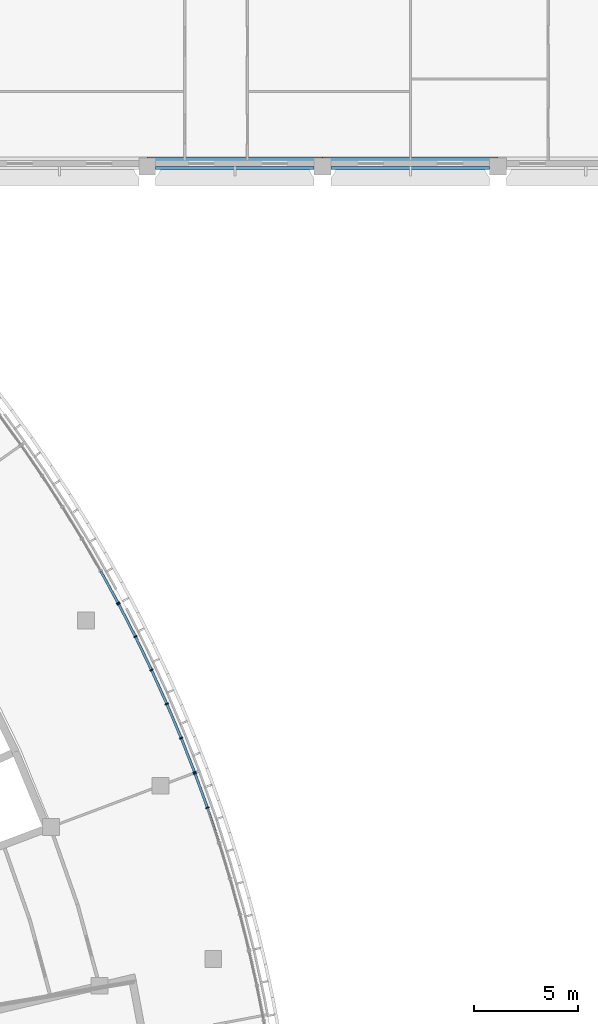
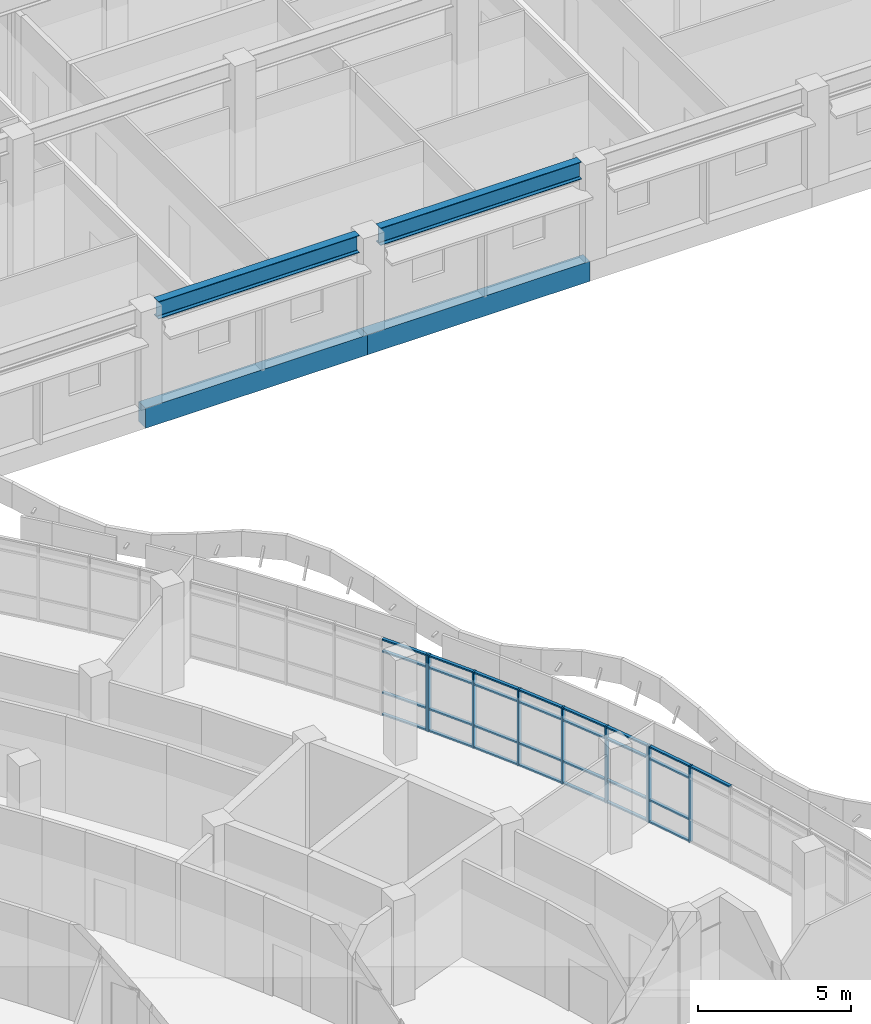
# One storey, part 28 of 109: 38 members, 4 beams, 3 elements without a shape of their own.
"""IFC4 building model written with IfcOpenShell, lengths in metres."""

from ifc_helpers import new_model, si_unit, direction, frame, origin, origin_2d, place, context, subcontext, project, spatial, rectangle, i_section, extrude, material, material_profile, profile_set, type_object, element, aggregate, save


model = new_model("IFC4")

# Units and contexts
model_context = context("Model", 3, precision=1e-05, world=origin(), true_north=direction((0.0, 1.0)))
body_context = subcontext(model_context, "Body", "Model", "MODEL_VIEW")
ifc_project = project(units=[si_unit("LENGTHUNIT", "METRE"), si_unit("AREAUNIT", "SQUARE_METRE"), si_unit("VOLUMEUNIT", "CUBIC_METRE"), si_unit("PLANEANGLEUNIT", "RADIAN"), si_unit("MASSUNIT", "GRAM", prefix="KILO")], contexts=[model_context])

# Site, building, storey
site_placement = place(None, origin())
site = spatial("IfcSite", under=ifc_project, at=site_placement, CompositionType="ELEMENT")
building_placement = place(site_placement, origin())
building = spatial("IfcBuilding", under=site, at=building_placement, Name="Bougainvillea Quay General Hospital", CompositionType="ELEMENT")
storey_placement = place(building_placement, frame((0.0, 0.0, 12.60009765625)))
storey = spatial("IfcBuildingStorey", under=building, at=storey_placement, Name="L02", CompositionType="ELEMENT", Elevation=12.60009765625)

# Curtain wall, member
ifc_material_1 = material(Name="Aluminium curtain wall system, powder-coated glazed", Category="aluminium")
curtain_wall_type = type_object("IfcCurtainWallType", Name="Unitised curtain wall CW-2100", PredefinedType="NOTDEFINED", material=ifc_material_1)
curtain_wall_1_placement = place(storey_placement, origin())
curtain_wall_1 = element("IfcCurtainWall", 1, at=curtain_wall_1_placement, inside=storey, type_object=curtain_wall_type, Name="CW-E05 a23b4", PredefinedType="NOTDEFINED")
ifc_material_2 = material(Name="Aluminium mullion, powder-coated charcoal", Category="aluminium")
ifc_material_profile_1 = material_profile(ifc_material_2, rectangle(XDim=0.159912109375, YDim=0.06005859375, at=origin_2d()))
ifc_profile_set_1 = profile_set([ifc_material_profile_1], Name="Aluminium mullion, powder-coated charcoal")
member_type_1 = type_object("IfcMemberType", Name="Curtain wall mullion 160x60", PredefinedType="MULLION", material=ifc_profile_set_1)
member_1_placement = place(storey_placement, frame((170.805908203125, 54.707763671875, 0.0), z_axis=(0.0, 0.0, 1.0), x_axis=(0.877387439543, 0.479782535044, 0.0)))
member_1 = element("IfcMember", 2, at=member_1_placement, type_object=member_type_1, Name="CW-E05 mullion 6", PredefinedType="MULLION", context=body_context, shape_type="SweptSolid", body=[
    extrude(rectangle(XDim=0.159912109375, YDim=0.06005859375, at=origin_2d()), origin(), (0.0, 0.0, 1.0), 3.0498046875),
])

# Curtain wall, members
curtain_wall_2_placement = place(storey_placement, origin())
curtain_wall_2 = element("IfcCurtainWall", 3, at=curtain_wall_2_placement, inside=storey, type_object=curtain_wall_type, Name="CW-E06 a23b5", PredefinedType="NOTDEFINED")
member_2_placement = place(storey_placement, frame((170.833984375, 54.65478515625, 0.0), z_axis=(0.0, 0.0, 1.0), x_axis=(0.889346157599, 0.457234526215, 0.0)))
member_2 = element("IfcMember", 4, at=member_2_placement, type_object=member_type_1, Name="CW-E06 mullion 1", PredefinedType="MULLION", context=body_context, shape_type="SweptSolid", body=[
    extrude(rectangle(XDim=0.159912109375, YDim=0.06005859375, at=origin_2d()), origin(), (0.0, 0.0, 1.0), 3.0498046875),
])
member_3_placement = place(storey_placement, frame((171.63427734375, 53.09814453125, 0.0), z_axis=(0.0, 0.0, 1.0), x_axis=(0.895108735914, 0.445847901072, 0.0)))
member_3 = element("IfcMember", 5, at=member_3_placement, type_object=member_type_1, Name="CW-E06 mullion 2", PredefinedType="MULLION", context=body_context, shape_type="SweptSolid", body=[
    extrude(rectangle(XDim=0.159912109375, YDim=0.06005859375, at=origin_2d()), origin(), (0.0, 0.0, 1.0), 3.0498046875),
])
member_4_placement = place(storey_placement, frame((172.407470703125, 51.49462890625, 0.0), z_axis=(0.0, 0.0, 1.0), x_axis=(0.906195638727, 0.422858681301, 0.0)))
member_4 = element("IfcMember", 6, at=member_4_placement, type_object=member_type_1, Name="CW-E06 mullion 3", PredefinedType="MULLION", context=body_context, shape_type="SweptSolid", body=[
    extrude(rectangle(XDim=0.159912109375, YDim=0.06005859375, at=origin_2d()), origin(), (0.0, 0.0, 1.0), 3.0498046875),
])
member_5_placement = place(storey_placement, frame((173.1396484375, 49.871826171875, 0.0), z_axis=(0.0, 0.0, 1.0), x_axis=(0.916692224279, 0.399594001388, 0.0)))
member_5 = element("IfcMember", 7, at=member_5_placement, type_object=member_type_1, Name="CW-E06 mullion 4", PredefinedType="MULLION", context=body_context, shape_type="SweptSolid", body=[
    extrude(rectangle(XDim=0.159912109375, YDim=0.06005859375, at=origin_2d()), origin(), (0.0, 0.0, 1.0), 3.0498046875),
])
member_6_placement = place(storey_placement, frame((173.830078125, 48.23095703125, 0.0), z_axis=(0.0, 0.0, 1.0), x_axis=(0.926591654846, 0.376069016497, 0.0)))
member_6 = element("IfcMember", 8, at=member_6_placement, type_object=member_type_1, Name="CW-E06 mullion 5", PredefinedType="MULLION", context=body_context, shape_type="SweptSolid", body=[
    extrude(rectangle(XDim=0.159912109375, YDim=0.06005859375, at=origin_2d()), origin(), (0.0, 0.0, 1.0), 3.0498046875),
])
member_7_placement = place(storey_placement, frame((174.4677734375, 46.60107421875, 0.0), z_axis=(0.0, 0.0, 1.0), x_axis=(0.931315406472, 0.364213692311, 0.0)))
member_7 = element("IfcMember", 9, at=member_7_placement, type_object=member_type_1, Name="CW-E06 mullion 6", PredefinedType="MULLION", context=body_context, shape_type="SweptSolid", body=[
    extrude(rectangle(XDim=0.159912109375, YDim=0.06005859375, at=origin_2d()), origin(), (0.0, 0.0, 1.0), 3.0498046875),
])

curtain_wall_3_placement = place(storey_placement, origin())
curtain_wall_3 = element("IfcCurtainWall", 10, at=curtain_wall_3_placement, inside=storey, type_object=curtain_wall_type, Name="CW-E07 a23b6", PredefinedType="NOTDEFINED")
member_8_placement = place(storey_placement, frame((174.48876953125, 46.544921875, 0.0), z_axis=(0.0, 0.0, 1.0), x_axis=(0.940307135924, 0.340327034086, 0.0)))
member_8 = element("IfcMember", 11, at=member_8_placement, type_object=member_type_1, Name="CW-E07 mullion 1", PredefinedType="MULLION", context=body_context, shape_type="SweptSolid", body=[
    extrude(rectangle(XDim=0.159912109375, YDim=0.06005859375, at=origin_2d()), origin(), (0.0, 0.0, 1.0), 3.0498046875),
])
member_9_placement = place(storey_placement, frame((175.08447265625, 44.899169921875, 0.0), z_axis=(0.0, 0.0, 1.0), x_axis=(0.944573649334, 0.328299590289, 0.0)))
member_9 = element("IfcMember", 12, at=member_9_placement, type_object=member_type_1, Name="CW-E07 mullion 2", PredefinedType="MULLION", context=body_context, shape_type="SweptSolid", body=[
    extrude(rectangle(XDim=0.159912109375, YDim=0.06005859375, at=origin_2d()), origin(), (0.0, 0.0, 1.0), 3.0498046875),
])

# Member
ifc_material_3 = material(Name="Aluminium transom, powder-coated charcoal", Category="aluminium")
ifc_material_profile_2 = material_profile(ifc_material_3, rectangle(XDim=0.1201171875, YDim=0.06005859375, at=origin_2d()))
ifc_profile_set_2 = profile_set([ifc_material_profile_2], Name="Aluminium transom, powder-coated charcoal")
member_type_2 = type_object("IfcMemberType", Name="Curtain wall transom 120x60", PredefinedType="USERDEFINED", material=ifc_profile_set_2)
member_10_placement = place(storey_placement, frame((169.98046875, 56.217041015625, 0.02978515625), z_axis=(0.479782810498, -0.877387288915, 0.0), x_axis=(0.877387288915, 0.479782810498, 0.0)))
member_10 = element("IfcMember", 13, at=member_10_placement, type_object=member_type_2, Name="CW-E05 transom 5.1", ObjectType="TRANSOM", PredefinedType="USERDEFINED", context=body_context, shape_type="SweptSolid", body=[
    extrude(rectangle(XDim=0.1201171875, YDim=0.06005859375, at=origin_2d()), origin(), (0.0, 0.0, 1.0), 1.6904296875),
])

member_11_placement = place(storey_placement, frame((169.98046875, 56.217041015625, 0.89990234375), z_axis=(0.479782810498, -0.877387288915, 0.0), x_axis=(0.877387288915, 0.479782810498, 0.0)))
member_11 = element("IfcMember", 14, at=member_11_placement, type_object=member_type_2, Name="CW-E05 transom 5.2", ObjectType="TRANSOM", PredefinedType="USERDEFINED", context=body_context, shape_type="SweptSolid", body=[
    extrude(rectangle(XDim=0.1201171875, YDim=0.06005859375, at=origin_2d()), origin(), (0.0, 0.0, 1.0), 1.6904296875),
])

member_12_placement = place(storey_placement, frame((169.98046875, 56.217041015625, 2.5498046875), z_axis=(0.479782810498, -0.877387288915, 0.0), x_axis=(0.877387288915, 0.479782810498, 0.0)))
member_12 = element("IfcMember", 15, at=member_12_placement, type_object=member_type_2, Name="CW-E05 transom 5.3", ObjectType="TRANSOM", PredefinedType="USERDEFINED", context=body_context, shape_type="SweptSolid", body=[
    extrude(rectangle(XDim=0.1201171875, YDim=0.06005859375, at=origin_2d()), origin(), (0.0, 0.0, 1.0), 1.6904296875),
])

member_13_placement = place(storey_placement, frame((169.98046875, 56.217041015625, 3.02001953125), z_axis=(0.479782810498, -0.877387288915, 0.0), x_axis=(0.877387288915, 0.479782810498, 0.0)))
member_13 = element("IfcMember", 16, at=member_13_placement, type_object=member_type_2, Name="CW-E05 transom 5.4", ObjectType="TRANSOM", PredefinedType="USERDEFINED", context=body_context, shape_type="SweptSolid", body=[
    extrude(rectangle(XDim=0.1201171875, YDim=0.06005859375, at=origin_2d()), origin(), (0.0, 0.0, 1.0), 1.6904296875),
])

aggregate(curtain_wall_1, [member_1, member_10, member_11, member_12, member_13])

member_14_placement = place(storey_placement, frame((170.84765625, 54.6279296875, 0.02978515625), z_axis=(0.457295793511, -0.889314655922, 0.0), x_axis=(0.889314655922, 0.457295793511, 0.0)))
member_14 = element("IfcMember", 17, at=member_14_placement, type_object=member_type_2, Name="CW-E06 transom 1.1", ObjectType="TRANSOM", PredefinedType="USERDEFINED", context=body_context, shape_type="SweptSolid", body=[
    extrude(rectangle(XDim=0.1201171875, YDim=0.06005859375, at=origin_2d()), origin(), (0.0, 0.0, 1.0), 1.690185546875),
])

member_15_placement = place(storey_placement, frame((170.84765625, 54.6279296875, 0.89990234375), z_axis=(0.457295793511, -0.889314655922, 0.0), x_axis=(0.889314655922, 0.457295793511, 0.0)))
member_15 = element("IfcMember", 18, at=member_15_placement, type_object=member_type_2, Name="CW-E06 transom 1.2", ObjectType="TRANSOM", PredefinedType="USERDEFINED", context=body_context, shape_type="SweptSolid", body=[
    extrude(rectangle(XDim=0.1201171875, YDim=0.06005859375, at=origin_2d()), origin(), (0.0, 0.0, 1.0), 1.690185546875),
])

member_16_placement = place(storey_placement, frame((170.84765625, 54.6279296875, 2.5498046875), z_axis=(0.457295793511, -0.889314655922, 0.0), x_axis=(0.889314655922, 0.457295793511, 0.0)))
member_16 = element("IfcMember", 19, at=member_16_placement, type_object=member_type_2, Name="CW-E06 transom 1.3", ObjectType="TRANSOM", PredefinedType="USERDEFINED", context=body_context, shape_type="SweptSolid", body=[
    extrude(rectangle(XDim=0.1201171875, YDim=0.06005859375, at=origin_2d()), origin(), (0.0, 0.0, 1.0), 1.690185546875),
])

member_17_placement = place(storey_placement, frame((170.84765625, 54.6279296875, 3.02001953125), z_axis=(0.457295793511, -0.889314655922, 0.0), x_axis=(0.889314655922, 0.457295793511, 0.0)))
member_17 = element("IfcMember", 20, at=member_17_placement, type_object=member_type_2, Name="CW-E06 transom 1.4", ObjectType="TRANSOM", PredefinedType="USERDEFINED", context=body_context, shape_type="SweptSolid", body=[
    extrude(rectangle(XDim=0.1201171875, YDim=0.06005859375, at=origin_2d()), origin(), (0.0, 0.0, 1.0), 1.690185546875),
])

member_18_placement = place(storey_placement, frame((171.647216796875, 53.071044921875, 0.02978515625), z_axis=(0.434451356132, -0.90069529762, 0.0), x_axis=(0.90069529762, 0.434451356132, 0.0)))
member_18 = element("IfcMember", 21, at=member_18_placement, type_object=member_type_2, Name="CW-E06 transom 2.1", ObjectType="TRANSOM", PredefinedType="USERDEFINED", context=body_context, shape_type="SweptSolid", body=[
    extrude(rectangle(XDim=0.1201171875, YDim=0.06005859375, at=origin_2d()), origin(), (0.0, 0.0, 1.0), 1.72021484375),
])

member_19_placement = place(storey_placement, frame((171.647216796875, 53.071044921875, 0.89990234375), z_axis=(0.434451356132, -0.90069529762, 0.0), x_axis=(0.90069529762, 0.434451356132, 0.0)))
member_19 = element("IfcMember", 22, at=member_19_placement, type_object=member_type_2, Name="CW-E06 transom 2.2", ObjectType="TRANSOM", PredefinedType="USERDEFINED", context=body_context, shape_type="SweptSolid", body=[
    extrude(rectangle(XDim=0.1201171875, YDim=0.06005859375, at=origin_2d()), origin(), (0.0, 0.0, 1.0), 1.72021484375),
])

member_20_placement = place(storey_placement, frame((171.647216796875, 53.071044921875, 2.5498046875), z_axis=(0.434451356132, -0.90069529762, 0.0), x_axis=(0.90069529762, 0.434451356132, 0.0)))
member_20 = element("IfcMember", 23, at=member_20_placement, type_object=member_type_2, Name="CW-E06 transom 2.3", ObjectType="TRANSOM", PredefinedType="USERDEFINED", context=body_context, shape_type="SweptSolid", body=[
    extrude(rectangle(XDim=0.1201171875, YDim=0.06005859375, at=origin_2d()), origin(), (0.0, 0.0, 1.0), 1.72021484375),
])

member_21_placement = place(storey_placement, frame((171.647216796875, 53.071044921875, 3.02001953125), z_axis=(0.434451356132, -0.90069529762, 0.0), x_axis=(0.90069529762, 0.434451356132, 0.0)))
member_21 = element("IfcMember", 24, at=member_21_placement, type_object=member_type_2, Name="CW-E06 transom 2.4", ObjectType="TRANSOM", PredefinedType="USERDEFINED", context=body_context, shape_type="SweptSolid", body=[
    extrude(rectangle(XDim=0.1201171875, YDim=0.06005859375, at=origin_2d()), origin(), (0.0, 0.0, 1.0), 1.72021484375),
])

member_22_placement = place(storey_placement, frame((172.419921875, 51.46728515625, 0.02978515625), z_axis=(0.411267298249, -0.911514788356, 0.0), x_axis=(0.911514788356, 0.411267298249, 0.0)))
member_22 = element("IfcMember", 25, at=member_22_placement, type_object=member_type_2, Name="CW-E06 transom 3.1", ObjectType="TRANSOM", PredefinedType="USERDEFINED", context=body_context, shape_type="SweptSolid", body=[
    extrude(rectangle(XDim=0.1201171875, YDim=0.06005859375, at=origin_2d()), origin(), (0.0, 0.0, 1.0), 1.720458984375),
])

member_23_placement = place(storey_placement, frame((172.419921875, 51.46728515625, 0.89990234375), z_axis=(0.411267298249, -0.911514788356, 0.0), x_axis=(0.911514788356, 0.411267298249, 0.0)))
member_23 = element("IfcMember", 26, at=member_23_placement, type_object=member_type_2, Name="CW-E06 transom 3.2", ObjectType="TRANSOM", PredefinedType="USERDEFINED", context=body_context, shape_type="SweptSolid", body=[
    extrude(rectangle(XDim=0.1201171875, YDim=0.06005859375, at=origin_2d()), origin(), (0.0, 0.0, 1.0), 1.720458984375),
])

member_24_placement = place(storey_placement, frame((172.419921875, 51.46728515625, 2.5498046875), z_axis=(0.411267298249, -0.911514788356, 0.0), x_axis=(0.911514788356, 0.411267298249, 0.0)))
member_24 = element("IfcMember", 27, at=member_24_placement, type_object=member_type_2, Name="CW-E06 transom 3.3", ObjectType="TRANSOM", PredefinedType="USERDEFINED", context=body_context, shape_type="SweptSolid", body=[
    extrude(rectangle(XDim=0.1201171875, YDim=0.06005859375, at=origin_2d()), origin(), (0.0, 0.0, 1.0), 1.720458984375),
])

member_25_placement = place(storey_placement, frame((172.419921875, 51.46728515625, 3.02001953125), z_axis=(0.411267298249, -0.911514788356, 0.0), x_axis=(0.911514788356, 0.411267298249, 0.0)))
member_25 = element("IfcMember", 28, at=member_25_placement, type_object=member_type_2, Name="CW-E06 transom 3.4", ObjectType="TRANSOM", PredefinedType="USERDEFINED", context=body_context, shape_type="SweptSolid", body=[
    extrude(rectangle(XDim=0.1201171875, YDim=0.06005859375, at=origin_2d()), origin(), (0.0, 0.0, 1.0), 1.720458984375),
])

member_26_placement = place(storey_placement, frame((173.1513671875, 49.84423828125, 0.02978515625), z_axis=(0.387847626956, -0.921723504238, 0.0), x_axis=(0.921723504238, 0.387847626956, 0.0)))
member_26 = element("IfcMember", 29, at=member_26_placement, type_object=member_type_2, Name="CW-E06 transom 4.1", ObjectType="TRANSOM", PredefinedType="USERDEFINED", context=body_context, shape_type="SweptSolid", body=[
    extrude(rectangle(XDim=0.1201171875, YDim=0.06005859375, at=origin_2d()), origin(), (0.0, 0.0, 1.0), 1.720458984375),
])

member_27_placement = place(storey_placement, frame((173.1513671875, 49.84423828125, 0.89990234375), z_axis=(0.387847626956, -0.921723504238, 0.0), x_axis=(0.921723504238, 0.387847626956, 0.0)))
member_27 = element("IfcMember", 30, at=member_27_placement, type_object=member_type_2, Name="CW-E06 transom 4.2", ObjectType="TRANSOM", PredefinedType="USERDEFINED", context=body_context, shape_type="SweptSolid", body=[
    extrude(rectangle(XDim=0.1201171875, YDim=0.06005859375, at=origin_2d()), origin(), (0.0, 0.0, 1.0), 1.720458984375),
])

member_28_placement = place(storey_placement, frame((173.1513671875, 49.84423828125, 2.5498046875), z_axis=(0.387847626956, -0.921723504238, 0.0), x_axis=(0.921723504238, 0.387847626956, 0.0)))
member_28 = element("IfcMember", 31, at=member_28_placement, type_object=member_type_2, Name="CW-E06 transom 4.3", ObjectType="TRANSOM", PredefinedType="USERDEFINED", context=body_context, shape_type="SweptSolid", body=[
    extrude(rectangle(XDim=0.1201171875, YDim=0.06005859375, at=origin_2d()), origin(), (0.0, 0.0, 1.0), 1.720458984375),
])

member_29_placement = place(storey_placement, frame((173.1513671875, 49.84423828125, 3.02001953125), z_axis=(0.387847626956, -0.921723504238, 0.0), x_axis=(0.921723504238, 0.387847626956, 0.0)))
member_29 = element("IfcMember", 32, at=member_29_placement, type_object=member_type_2, Name="CW-E06 transom 4.4", ObjectType="TRANSOM", PredefinedType="USERDEFINED", context=body_context, shape_type="SweptSolid", body=[
    extrude(rectangle(XDim=0.1201171875, YDim=0.06005859375, at=origin_2d()), origin(), (0.0, 0.0, 1.0), 1.720458984375),
])

member_30_placement = place(storey_placement, frame((173.841064453125, 48.203125, 0.02978515625), z_axis=(0.364257753557, -0.931298174042, 0.0), x_axis=(0.931298174042, 0.364257753557, 0.0)))
member_30 = element("IfcMember", 33, at=member_30_placement, type_object=member_type_2, Name="CW-E06 transom 5.1", ObjectType="TRANSOM", PredefinedType="USERDEFINED", context=body_context, shape_type="SweptSolid", body=[
    extrude(rectangle(XDim=0.1201171875, YDim=0.06005859375, at=origin_2d()), origin(), (0.0, 0.0, 1.0), 1.6904296875),
])

member_31_placement = place(storey_placement, frame((173.841064453125, 48.203125, 0.89990234375), z_axis=(0.364257753557, -0.931298174042, 0.0), x_axis=(0.931298174042, 0.364257753557, 0.0)))
member_31 = element("IfcMember", 34, at=member_31_placement, type_object=member_type_2, Name="CW-E06 transom 5.2", ObjectType="TRANSOM", PredefinedType="USERDEFINED", context=body_context, shape_type="SweptSolid", body=[
    extrude(rectangle(XDim=0.1201171875, YDim=0.06005859375, at=origin_2d()), origin(), (0.0, 0.0, 1.0), 1.6904296875),
])

member_32_placement = place(storey_placement, frame((173.841064453125, 48.203125, 2.5498046875), z_axis=(0.364257753557, -0.931298174042, 0.0), x_axis=(0.931298174042, 0.364257753557, 0.0)))
member_32 = element("IfcMember", 35, at=member_32_placement, type_object=member_type_2, Name="CW-E06 transom 5.3", ObjectType="TRANSOM", PredefinedType="USERDEFINED", context=body_context, shape_type="SweptSolid", body=[
    extrude(rectangle(XDim=0.1201171875, YDim=0.06005859375, at=origin_2d()), origin(), (0.0, 0.0, 1.0), 1.6904296875),
])

member_33_placement = place(storey_placement, frame((173.841064453125, 48.203125, 3.02001953125), z_axis=(0.364257753557, -0.931298174042, 0.0), x_axis=(0.931298174042, 0.364257753557, 0.0)))
member_33 = element("IfcMember", 36, at=member_33_placement, type_object=member_type_2, Name="CW-E06 transom 5.4", ObjectType="TRANSOM", PredefinedType="USERDEFINED", context=body_context, shape_type="SweptSolid", body=[
    extrude(rectangle(XDim=0.1201171875, YDim=0.06005859375, at=origin_2d()), origin(), (0.0, 0.0, 1.0), 1.6904296875),
])

aggregate(curtain_wall_2, [member_2, member_3, member_4, member_5, member_6, member_7, member_14, member_15, member_16, member_17, member_18, member_19, member_20, member_21, member_22, member_23, member_24, member_25, member_26, member_27, member_28, member_29, member_30, member_31, member_32, member_33])

member_34_placement = place(storey_placement, frame((174.4990234375, 46.5166015625, 0.02978515625), z_axis=(0.340304572201, -0.940315265291, 0.0), x_axis=(0.940315265291, 0.340304572201, 0.0)))
member_34 = element("IfcMember", 37, at=member_34_placement, type_object=member_type_2, Name="CW-E07 transom 1.1", ObjectType="TRANSOM", PredefinedType="USERDEFINED", context=body_context, shape_type="SweptSolid", body=[
    extrude(rectangle(XDim=0.1201171875, YDim=0.06005859375, at=origin_2d()), origin(), (0.0, 0.0, 1.0), 1.690185546875),
])

member_35_placement = place(storey_placement, frame((174.4990234375, 46.5166015625, 0.89990234375), z_axis=(0.340304572201, -0.940315265291, 0.0), x_axis=(0.940315265291, 0.340304572201, 0.0)))
member_35 = element("IfcMember", 38, at=member_35_placement, type_object=member_type_2, Name="CW-E07 transom 1.2", ObjectType="TRANSOM", PredefinedType="USERDEFINED", context=body_context, shape_type="SweptSolid", body=[
    extrude(rectangle(XDim=0.1201171875, YDim=0.06005859375, at=origin_2d()), origin(), (0.0, 0.0, 1.0), 1.690185546875),
])

member_36_placement = place(storey_placement, frame((174.4990234375, 46.5166015625, 2.5498046875), z_axis=(0.340304572201, -0.940315265291, 0.0), x_axis=(0.940315265291, 0.340304572201, 0.0)))
member_36 = element("IfcMember", 39, at=member_36_placement, type_object=member_type_2, Name="CW-E07 transom 1.3", ObjectType="TRANSOM", PredefinedType="USERDEFINED", context=body_context, shape_type="SweptSolid", body=[
    extrude(rectangle(XDim=0.1201171875, YDim=0.06005859375, at=origin_2d()), origin(), (0.0, 0.0, 1.0), 1.690185546875),
])

member_37_placement = place(storey_placement, frame((174.4990234375, 46.5166015625, 3.02001953125), z_axis=(0.340304572201, -0.940315265291, 0.0), x_axis=(0.940315265291, 0.340304572201, 0.0)))
member_37 = element("IfcMember", 40, at=member_37_placement, type_object=member_type_2, Name="CW-E07 transom 1.4", ObjectType="TRANSOM", PredefinedType="USERDEFINED", context=body_context, shape_type="SweptSolid", body=[
    extrude(rectangle(XDim=0.1201171875, YDim=0.06005859375, at=origin_2d()), origin(), (0.0, 0.0, 1.0), 1.690185546875),
])

member_38_placement = place(storey_placement, frame((175.093994140625, 44.87060546875, 3.02001953125), z_axis=(0.316185191391, -0.948697488531, 0.0), x_axis=(0.948697488531, 0.316185191391, 0.0)))
member_38 = element("IfcMember", 41, at=member_38_placement, type_object=member_type_2, Name="CW-E07 transom 2.4", ObjectType="TRANSOM", PredefinedType="USERDEFINED", context=body_context, shape_type="SweptSolid", body=[
    extrude(rectangle(XDim=0.1201171875, YDim=0.06005859375, at=origin_2d()), origin(), (0.0, 0.0, 1.0), 1.720458984375),
])

aggregate(curtain_wall_3, [member_8, member_9, member_34, member_35, member_36, member_37, member_38])

# Beams
ifc_material_4 = material(Name="Steel Q355", Category="steel")
ifc_material_profile_3 = material_profile(ifc_material_4, i_section(OverallWidth=0.300048828125, OverallDepth=0.699951171875, WebThickness=0.012939453125, FlangeThickness=0.02392578125, FilletRadius=0.01806640625, at=origin_2d()))
ifc_profile_set_3 = profile_set([ifc_material_profile_3], Name="Steel Q355")
beam_type_1 = type_object("IfcBeamType", Name="HN 700x300x13x24 Q355", PredefinedType="BEAM", material=ifc_profile_set_3)
beam_1_placement = place(storey_placement, frame((172.60009765625, 75.60009765625, 3.559814453125), z_axis=(1.0, 0.0, 0.0), x_axis=(0.0, 1.0, 0.0)))
element("IfcBeam", 42, at=beam_1_placement, inside=storey, type_object=beam_type_1, Name="Roof girder", PredefinedType="BEAM", context=body_context, shape_type="SweptSolid", body=[
    extrude(i_section(OverallWidth=0.300048828125, OverallDepth=0.699951171875, WebThickness=0.012939453125, FlangeThickness=0.02392578125, FilletRadius=0.01806640625, at=origin_2d()), origin(), (0.0, 0.0, 1.0), 7.599853515625),
])
beam_2_placement = place(storey_placement, frame((181.0, 75.60009765625, 3.559814453125), z_axis=(1.0, 0.0, 0.0), x_axis=(0.0, 1.0, 0.0)))
element("IfcBeam", 43, at=beam_2_placement, inside=storey, type_object=beam_type_1, Name="Roof girder", PredefinedType="BEAM", context=body_context, shape_type="SweptSolid", body=[
    extrude(i_section(OverallWidth=0.300048828125, OverallDepth=0.699951171875, WebThickness=0.012939453125, FlangeThickness=0.02392578125, FilletRadius=0.01806640625, at=origin_2d()), origin(), (0.0, 0.0, 1.0), 7.60009765625),
])
ifc_material_5 = material(Name="Concrete C40", Category="concrete")
ifc_material_profile_4 = material_profile(ifc_material_5, rectangle(XDim=0.449951171875, YDim=0.800048828125, at=origin_2d()))
ifc_profile_set_4 = profile_set([ifc_material_profile_4], Name="Concrete C40")
beam_type_2 = type_object("IfcBeamType", Name="RC BEAM 450x800 C40", PredefinedType="BEAM", material=ifc_profile_set_4)
beam_3_placement = place(storey_placement, frame((172.199951171875, 75.824951171875, -0.7001953125), z_axis=(1.0, 0.0, 0.0), x_axis=(0.0, 1.0, 0.0)))
element("IfcBeam", 44, at=beam_3_placement, inside=storey, type_object=beam_type_2, Name="Edge beam L02", PredefinedType="BEAM", context=body_context, shape_type="SweptSolid", body=[
    extrude(rectangle(XDim=0.449951171875, YDim=0.800048828125, at=origin_2d()), origin(), (0.0, 0.0, 1.0), 8.400146484375),
])
beam_4_placement = place(storey_placement, frame((180.60009765625, 75.824951171875, -0.7001953125), z_axis=(1.0, 0.0, 0.0), x_axis=(0.0, 1.0, 0.0)))
element("IfcBeam", 45, at=beam_4_placement, inside=storey, type_object=beam_type_2, Name="Edge beam L02", PredefinedType="BEAM", context=body_context, shape_type="SweptSolid", body=[
    extrude(rectangle(XDim=0.449951171875, YDim=0.800048828125, at=origin_2d()), origin(), (0.0, 0.0, 1.0), 8.39990234375),
])

save(model, "model.ifc")
